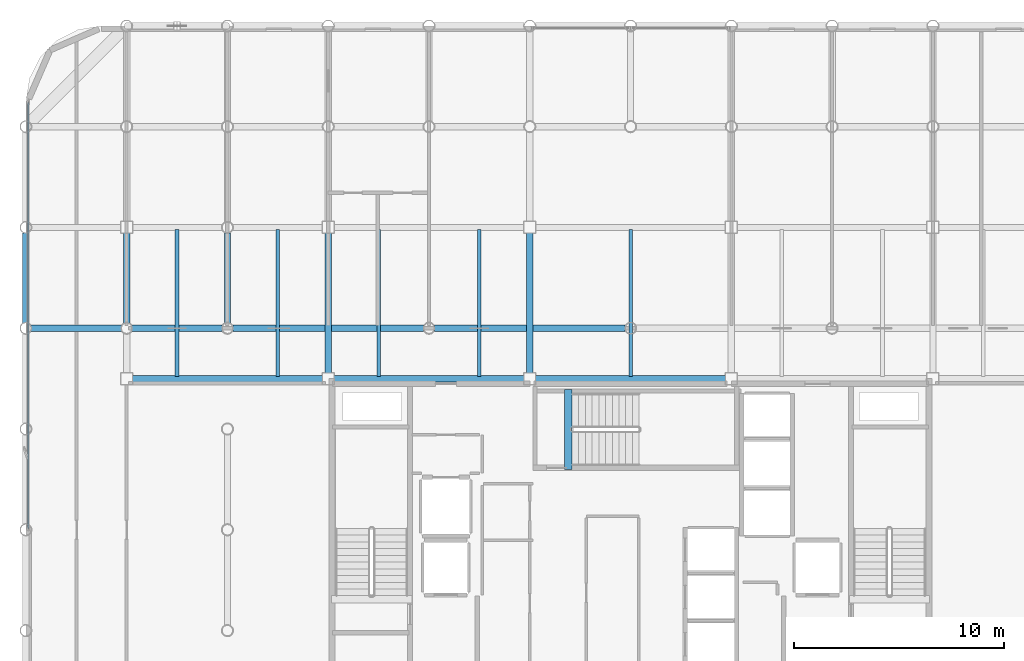
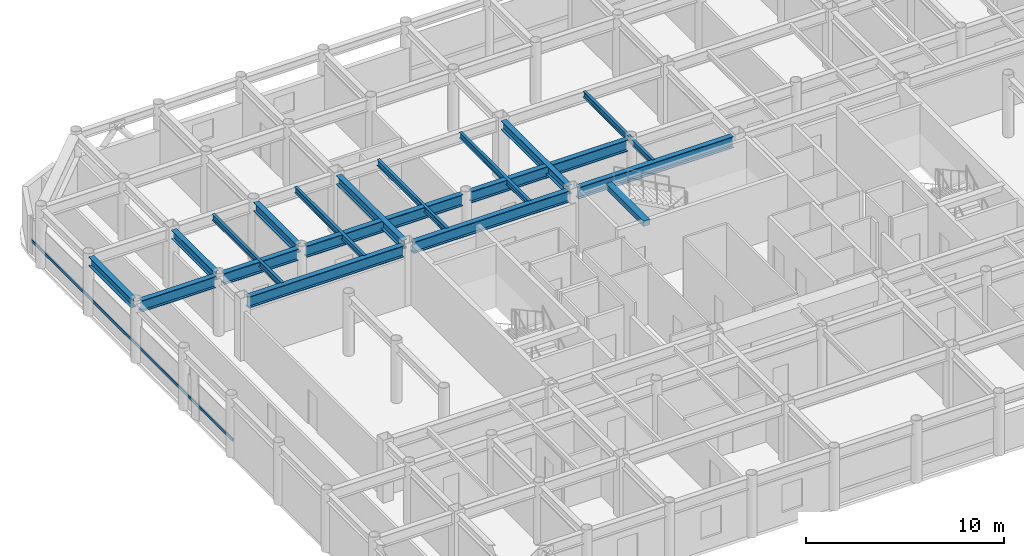
# One storey, part 7 of 22: 18 beams, 1 member, 1 element without a shape of its own.
"""IFC4 building model written with IfcOpenShell, lengths in metres."""

from ifc_helpers import new_model, si_unit, direction, frame, origin, origin_2d, place, context, subcontext, project, spatial, rectangle, hollow_rectangle, i_section, extrude, material, layer, layer_set, material_profile, profile_set, type_object, element, aggregate, save


model = new_model("IFC4")

# Units and contexts
model_context = context("Model", 3, precision=1e-05, world=origin(), true_north=direction((0.0, 1.0)))
body_context = subcontext(model_context, "Body", "Model", "MODEL_VIEW")
ifc_project = project(units=[si_unit("LENGTHUNIT", "METRE"), si_unit("AREAUNIT", "SQUARE_METRE"), si_unit("VOLUMEUNIT", "CUBIC_METRE"), si_unit("PLANEANGLEUNIT", "RADIAN"), si_unit("MASSUNIT", "GRAM", prefix="KILO")], contexts=[model_context])

# Site, building, storey
site_placement = place(None, origin())
site = spatial("IfcSite", under=ifc_project, at=site_placement, CompositionType="ELEMENT")
building_placement = place(site_placement, origin())
building = spatial("IfcBuilding", under=site, at=building_placement, Name="Kallvorn Hotel Tower", CompositionType="ELEMENT")
storey_placement = place(building_placement, frame((0.0, 0.0, 241.550048828125)))
storey = spatial("IfcBuildingStorey", under=building, at=storey_placement, Name="L60", CompositionType="ELEMENT", Elevation=241.550048828125)

# Beams
ifc_material_1 = material(Name="Structural steel S355JR", Category="steel")
ifc_material_profile_1 = material_profile(ifc_material_1, i_section(OverallWidth=0.300048828125, OverallDepth=0.550048828125, WebThickness=0.014892578125, FlangeThickness=0.029052734375, at=origin_2d()), Name="HE 550 B")
ifc_profile_set_1 = profile_set([ifc_material_profile_1], Name="Structural steel S355JR")
beam_type_1 = type_object("IfcBeamType", Name="BM_HE550B", PredefinedType="SPANDREL", material=ifc_profile_set_1)
beam_1_placement = place(storey_placement, frame((-28.800048828125, 9.8544921875, 3.39501953125), z_axis=(0.0, 1.0, 0.0), x_axis=(-1.0, 0.0, 0.0)))
element("IfcBeam", 1, at=beam_1_placement, inside=storey, type_object=beam_type_1, Name="L61 Primary Y-Girder 79", PredefinedType="SPANDREL", context=body_context, shape_type="SweptSolid", body=[
    extrude(i_section(OverallWidth=0.300048828125, OverallDepth=0.550048828125, WebThickness=0.014892578125, FlangeThickness=0.029052734375, at=origin_2d()), origin(), (0.0, 0.0, 1.0), 4.291015625),
])
beam_2_placement = place(storey_placement, frame((-24.0, 9.8544921875, 3.39501953125), z_axis=(0.0, 1.0, 0.0), x_axis=(-1.0, 0.0, 0.0)))
element("IfcBeam", 2, at=beam_2_placement, inside=storey, type_object=beam_type_1, Name="L61 Primary Y-Girder 85", PredefinedType="SPANDREL", context=body_context, shape_type="SweptSolid", body=[
    extrude(i_section(OverallWidth=0.300048828125, OverallDepth=0.550048828125, WebThickness=0.014892578125, FlangeThickness=0.029052734375, at=origin_2d()), origin(), (0.0, 0.0, 1.0), 4.2705078125),
])
beam_3_placement = place(storey_placement, frame((-19.199951171875, 9.8544921875, 3.39501953125), z_axis=(0.0, 1.0, 0.0), x_axis=(-1.0, 0.0, 0.0)))
element("IfcBeam", 3, at=beam_3_placement, inside=storey, type_object=beam_type_1, Name="L61 Primary Y-Girder 94", PredefinedType="SPANDREL", context=body_context, shape_type="SweptSolid", body=[
    extrude(i_section(OverallWidth=0.300048828125, OverallDepth=0.550048828125, WebThickness=0.014892578125, FlangeThickness=0.029052734375, at=origin_2d()), origin(), (0.0, 0.0, 1.0), 4.291015625),
])
for number, where, z_axis, x_axis, name in (
    (4, (-14.39990234375, 7.47509765625, 3.39501953125), (0.0, 1.0, 0.0), (-1.0, 0.0, 0.0), "L61 Primary Y-Girder 99"),
    (5, (-4.800048828125, 7.47509765625, 3.39501953125), (0.0, 1.0, 0.0), (-1.0, 0.0, 0.0), "L61 Primary Y-Girder 107"),
):
    element("IfcBeam", number, at=place(storey_placement, frame(where, z_axis=z_axis, x_axis=x_axis)), inside=storey, type_object=beam_type_1, Name=name, PredefinedType="SPANDREL", context=body_context, shape_type="SweptSolid", body=[
        extrude(i_section(OverallWidth=0.300048828125, OverallDepth=0.550048828125, WebThickness=0.014892578125, FlangeThickness=0.029052734375, at=origin_2d()), origin(), (0.0, 0.0, 1.0), 6.64990234375),
    ])
ifc_material_2 = material(Name="Structural steel S355JR", Category="steel")
ifc_material_profile_2 = material_profile(ifc_material_2, i_section(OverallWidth=0.300048828125, OverallDepth=0.699951171875, WebThickness=0.01708984375, FlangeThickness=0.031982421875, at=origin_2d()), Name="HE 700 B")
ifc_profile_set_2 = profile_set([ifc_material_profile_2], Name="Structural steel S355JR")
beam_type_2 = type_object("IfcBeamType", Name="BM_HE700B", PredefinedType="BEAM", material=ifc_profile_set_2)
for number, where, z_axis, x_axis, name in (
    (6, (-23.72509765625, 7.199951171875, 3.320068359375), (1.0, 0.0, 0.0), (0.0, 1.0, 0.0), "L61 Primary X-Girder 36"),
    (7, (-14.125, 7.199951171875, 3.320068359375), (1.0, 0.0, 0.0), (0.0, 1.0, 0.0), "L61 Primary X-Girder 37"),
):
    element("IfcBeam", number, at=place(storey_placement, frame(where, z_axis=z_axis, x_axis=x_axis)), inside=storey, type_object=beam_type_2, Name=name, PredefinedType="BEAM", context=body_context, shape_type="SweptSolid", body=[
        extrude(i_section(OverallWidth=0.300048828125, OverallDepth=0.699951171875, WebThickness=0.01708984375, FlangeThickness=0.031982421875, at=origin_2d()), origin(), (0.0, 0.0, 1.0), 9.050048828125),
    ])
beam_4_placement = place(storey_placement, frame((-4.52490234375, 7.199951171875, 3.320068359375), z_axis=(1.0, 0.0, 0.0), x_axis=(0.0, 1.0, 0.0)))
element("IfcBeam", 8, at=beam_4_placement, inside=storey, type_object=beam_type_2, Name="L61 Primary X-Girder 38", PredefinedType="BEAM", context=body_context, shape_type="SweptSolid", body=[
    extrude(i_section(OverallWidth=0.300048828125, OverallDepth=0.699951171875, WebThickness=0.01708984375, FlangeThickness=0.031982421875, at=origin_2d()), origin(), (0.0, 0.0, 1.0), 9.0498046875),
])
for number, where, z_axis, x_axis, name in (
    (9, (-28.54541015625, 9.60009765625, 3.320068359375), (1.0, 0.0, 0.0), (0.0, 1.0, 0.0), "L61 Primary X-Girder 41"),
    (10, (-23.74560546875, 9.60009765625, 3.320068359375), (1.0, 0.0, 0.0), (0.0, 1.0, 0.0), "L61 Primary X-Girder 42"),
):
    element("IfcBeam", number, at=place(storey_placement, frame(where, z_axis=z_axis, x_axis=x_axis)), inside=storey, type_object=beam_type_2, Name=name, PredefinedType="BEAM", context=body_context, shape_type="SweptSolid", body=[
        extrude(i_section(OverallWidth=0.300048828125, OverallDepth=0.699951171875, WebThickness=0.01708984375, FlangeThickness=0.031982421875, at=origin_2d()), origin(), (0.0, 0.0, 1.0), 4.291015625),
    ])
for number, where, z_axis, x_axis, name in (
    (11, (-18.945556640625, 9.60009765625, 3.320068359375), (1.0, 0.0, 0.0), (0.0, 1.0, 0.0), "L61 Primary X-Girder 43"),
    (12, (-9.345458984375, 9.60009765625, 3.320068359375), (1.0, 0.0, 0.0), (0.0, 1.0, 0.0), "L61 Primary X-Girder 44"),
):
    element("IfcBeam", number, at=place(storey_placement, frame(where, z_axis=z_axis, x_axis=x_axis)), inside=storey, type_object=beam_type_2, Name=name, PredefinedType="BEAM", context=body_context, shape_type="SweptSolid", body=[
        extrude(i_section(OverallWidth=0.300048828125, OverallDepth=0.699951171875, WebThickness=0.01708984375, FlangeThickness=0.031982421875, at=origin_2d()), origin(), (0.0, 0.0, 1.0), 9.091064453125),
    ])
ifc_material_3 = material(Name="Structural steel S355JR", Category="steel")
ifc_material_profile_3 = material_profile(ifc_material_3, i_section(OverallWidth=0.169921875, OverallDepth=0.360107421875, WebThickness=0.008056640625, FlangeThickness=0.0126953125, at=origin_2d()), Name="IPE 360")
ifc_profile_set_3 = profile_set([ifc_material_profile_3], Name="Structural steel S355JR")
beam_type_3 = type_object("IfcBeamType", Name="BM_IPE360", PredefinedType="JOIST", material=ifc_profile_set_3)
for number, where, z_axis, x_axis, name in (
    (13, (-21.60009765625, 7.300048828125, 3.489990234375), (0.0, 1.0, 0.0), (-1.0, 0.0, 0.0), "L61 Secondary Composite Joist 193"),
    (14, (-16.800048828125, 7.300048828125, 3.489990234375), (0.0, 1.0, 0.0), (-1.0, 0.0, 0.0), "L61 Secondary Composite Joist 195"),
    (15, (-12.0, 7.300048828125, 3.489990234375), (0.0, 1.0, 0.0), (-1.0, 0.0, 0.0), "L61 Secondary Composite Joist 197"),
    (16, (-7.199951171875, 7.300048828125, 3.489990234375), (0.0, 1.0, 0.0), (-1.0, 0.0, 0.0), "L61 Secondary Composite Joist 199"),
    (17, (0.0, 7.300048828125, 3.489990234375), (0.0, 1.0, 0.0), (-1.0, 0.0, 0.0), "L61 Secondary Composite Joist 201"),
):
    element("IfcBeam", number, at=place(storey_placement, frame(where, z_axis=z_axis, x_axis=x_axis)), inside=storey, type_object=beam_type_3, Name=name, PredefinedType="JOIST", context=body_context, shape_type="SweptSolid", body=[
        extrude(i_section(OverallWidth=0.169921875, OverallDepth=0.360107421875, WebThickness=0.008056640625, FlangeThickness=0.0126953125, at=origin_2d()), origin(), (0.0, 0.0, 1.0), 7.0),
    ])
ifc_material_4 = material(Name="Concrete C50/60", Category="concrete")
ifc_material_profile_4 = material_profile(ifc_material_4, rectangle(XDim=0.360107421875, YDim=0.340087890625, at=origin_2d()), Name="RC 360x340")
ifc_profile_set_4 = profile_set([ifc_material_profile_4], Name="Concrete C50/60")
beam_type_4 = type_object("IfcBeamType", Name="BM_RC_400x360", PredefinedType="BEAM", material=ifc_profile_set_4)
beam_5_placement = place(storey_placement, frame((-2.9599609375, 2.8701171875, 3.5), z_axis=(0.0, 1.0, 0.0), x_axis=(-1.0, 0.0, 0.0)))
element("IfcBeam", 18, at=beam_5_placement, inside=storey, type_object=beam_type_4, Name="L61 Stair ST3 Arrival Trimmer Beam", PredefinedType="BEAM", context=body_context, shape_type="SweptSolid", body=[
    extrude(rectangle(XDim=0.360107421875, YDim=0.340087890625, at=origin_2d()), origin(), (0.0, 0.0, 1.0), 3.81982421875),
])

# Curtain wall, member
ifc_material_5 = material(Name="Thermally broken black-anodised aluminium AA 6063-T6", Category="aluminium")
ifc_layer = layer(ifc_material_5, 0.22998046875)
ifc_layer_set = layer_set([ifc_layer], Name="CW_SYS_5_HOTEL_HIGH")
curtain_wall_type = type_object("IfcCurtainWallType", Name="CW_SYS_5_HOTEL_HIGH", PredefinedType="USERDEFINED", material=ifc_layer_set)
curtain_wall_placement = place(storey_placement, origin())
curtain_wall = element("IfcCurtainWall", 19, at=curtain_wall_placement, inside=storey, type_object=curtain_wall_type, Name="L60 Dark-Glass Curtain Wall CW-L60-WN", ObjectType="UNITISED CURTAIN WALL", PredefinedType="USERDEFINED")
ifc_material_6 = material(Name="Thermally broken black-anodised aluminium AA 6063-T6", Category="aluminium")
ifc_material_profile_5 = material_profile(ifc_material_6, hollow_rectangle(XDim=0.070068359375, YDim=0.179931640625, WallThickness=0.00390625, at=origin_2d()), Name="TRN 180x70")
ifc_profile_set_5 = profile_set([ifc_material_profile_5], Name="Thermally broken black-anodised aluminium AA 6063-T6")
member_type = type_object("IfcMemberType", Name="CW_TRANSOM_180x70", PredefinedType="USERDEFINED", material=ifc_profile_set_5)
member_placement = place(storey_placement, frame((-28.679931640625, 0.06005859375, 0.849853515625), z_axis=(0.0, 1.0, 0.0), x_axis=(-1.0, 0.0, 0.0)))
member = element("IfcMember", 20, at=member_placement, type_object=member_type, Name="CW-L60-WN Transom 00M", ObjectType="TRANSOM", PredefinedType="USERDEFINED", context=body_context, shape_type="SweptSolid", body=[
    extrude(hollow_rectangle(XDim=0.070068359375, YDim=0.179931640625, WallThickness=0.00390625, at=origin_2d()), origin(), (0.0, 0.0, 1.0), 20.300048828125),
])
aggregate(curtain_wall, [member])

save(model, "model.ifc")
